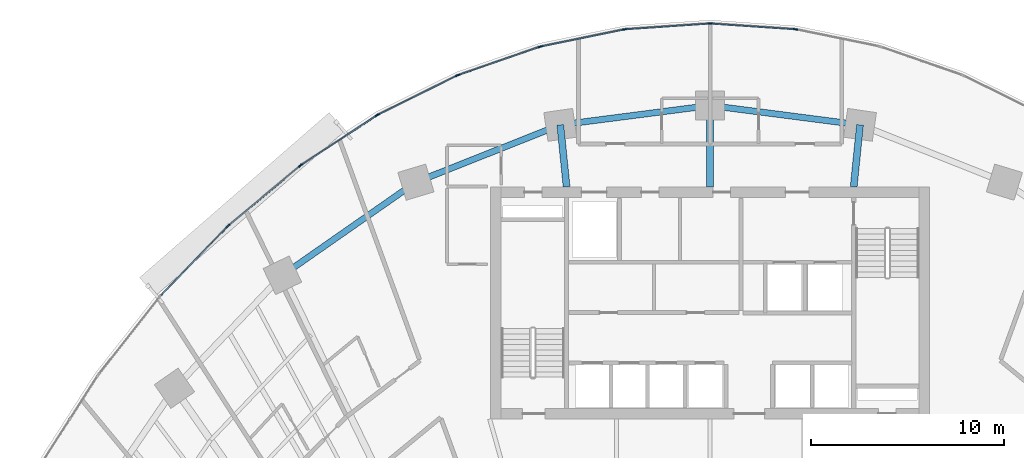
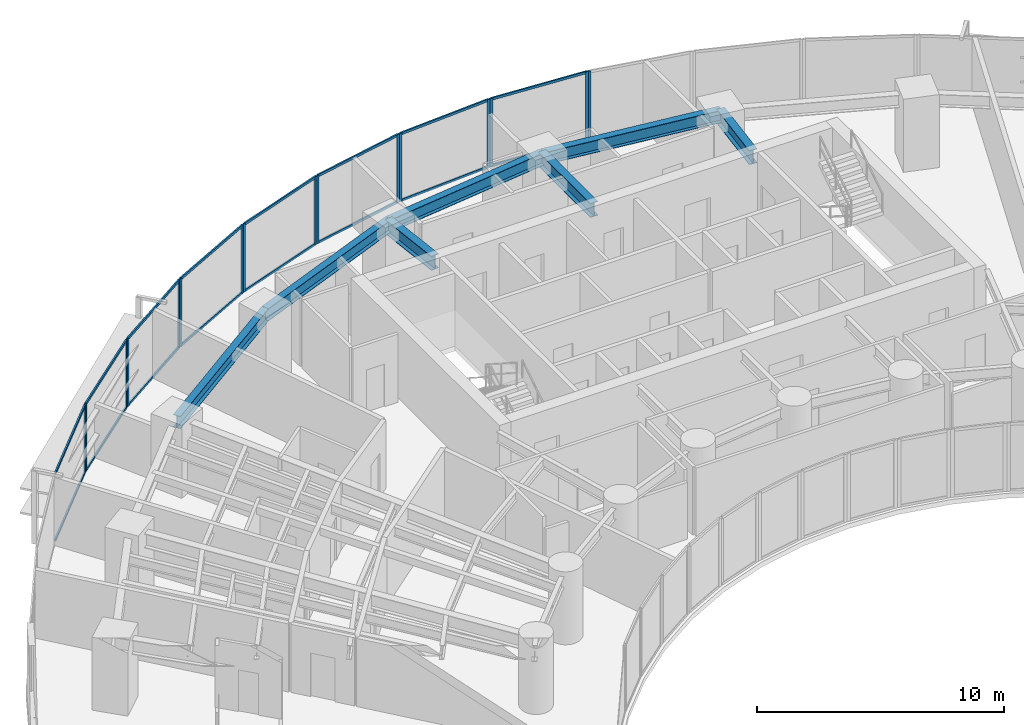
# One storey, part 6 of 17: 32 members, 7 beams, 9 elements without a shape of their own.
"""IFC4 building model written with IfcOpenShell, lengths in metres."""

from ifc_helpers import new_model, si_unit, direction, frame, origin, origin_2d, place, context, subcontext, project, spatial, rectangle, i_section, extrude, source, transform, mapped, material, layer, layer_set, material_profile, profile_set, type_object, type_shapes, element, aggregate, save


model = new_model("IFC4")

# Units and contexts
model_context = context("Model", 3, precision=1e-05, world=origin(), true_north=direction((0.0, 1.0)))
body_context = subcontext(model_context, "Body", "Model", "MODEL_VIEW")
ifc_project = project(units=[si_unit("LENGTHUNIT", "METRE"), si_unit("AREAUNIT", "SQUARE_METRE"), si_unit("VOLUMEUNIT", "CUBIC_METRE"), si_unit("PLANEANGLEUNIT", "RADIAN"), si_unit("MASSUNIT", "GRAM", prefix="KILO")], contexts=[model_context])

# Site, building, storey
site_placement = place(None, origin())
site = spatial("IfcSite", under=ifc_project, at=site_placement, CompositionType="ELEMENT")
building_placement = place(site_placement, origin())
building = spatial("IfcBuilding", under=site, at=building_placement, Name="Breltana Convention Tower", CompositionType="ELEMENT")
storey_placement = place(building_placement, frame((0.0, 0.0, 75.0)))
storey = spatial("IfcBuildingStorey", under=building, at=storey_placement, Name="L17", CompositionType="ELEMENT", Elevation=75.0)

# Beams
ifc_material_1 = material(Name="Steel ASTM A992 Grade 50", Category="steel")
ifc_material_profile_1 = material_profile(ifc_material_1, i_section(OverallWidth=0.323974609375, OverallDepth=0.611083984375, WebThickness=0.0126953125, FlangeThickness=0.01904296875, at=origin_2d()), Name="W24X104")
ifc_profile_set_1 = profile_set([ifc_material_profile_1], Name="Steel ASTM A992 Grade 50")
beam_type_1 = type_object("IfcBeamType", Name="BM-SP-W24X104", PredefinedType="SPANDREL", material=ifc_profile_set_1)
shared_shape_1 = source(origin(), body_context, "Body", "SweptSolid", [
    extrude(i_section(OverallWidth=0.323974609375, OverallDepth=0.611083984375, WebThickness=0.0126953125, FlangeThickness=0.01904296875, at=origin_2d()), origin(), (0.0, 0.0, 1.0), 8.4169921875),
])
beam_1_placement = place(storey_placement, frame((25.8876953125, 67.626953125, 3.054443359375), z_axis=(0.820173800102, 0.572114444519, 0.0), x_axis=(-0.572114444519, 0.820173800102, 0.0)))
element("IfcBeam", 1, at=beam_1_placement, inside=storey, type_object=beam_type_1, Name="L17 Outer Spandrel Beam 03", PredefinedType="SPANDREL", context=body_context, shape_type="MappedRepresentation", body=[
    mapped(shared_shape_1, transform((0.0, 0.0, 0.0), scale=1.0)),
])
shared_shape_2 = source(origin(), body_context, "Body", "SweptSolid", [
    extrude(i_section(OverallWidth=0.323974609375, OverallDepth=0.611083984375, WebThickness=0.0126953125, FlangeThickness=0.01904296875, at=origin_2d()), origin(), (0.0, 0.0, 1.0), 8.028564453125),
])
beam_2_placement = place(storey_placement, frame((32.791015625, 72.4423828125, 3.054443359375), z_axis=(0.929459100394, 0.368925169507, 0.0), x_axis=(-0.368925169507, 0.929459100394, 0.0)))
element("IfcBeam", 2, at=beam_2_placement, inside=storey, type_object=beam_type_1, Name="L17 Outer Spandrel Beam 04", PredefinedType="SPANDREL", context=body_context, shape_type="MappedRepresentation", body=[
    mapped(shared_shape_2, transform((0.0, 0.0, 0.0), scale=1.0)),
])
shared_shape_3 = source(origin(), body_context, "Body", "SweptSolid", [
    extrude(i_section(OverallWidth=0.323974609375, OverallDepth=0.611083984375, WebThickness=0.0126953125, FlangeThickness=0.01904296875, at=origin_2d()), origin(), (0.0, 0.0, 1.0), 7.81103515625),
])
for number, where, z_axis, x_axis, name in (
    (3, (40.253173828125, 75.404296875, 3.054443359375), (0.991775179127, 0.127992164083, 0.0), (-0.127992164083, 0.991775179127, 0.0), "L17 Outer Spandrel Beam 05"),
    (4, (48.0, 76.404052734375, 3.054443359375), (0.991775179127, -0.127992164083, 0.0), (0.127992164083, 0.991775179127, 0.0), "L17 Outer Spandrel Beam 06"),
):
    element("IfcBeam", number, at=place(storey_placement, frame(where, z_axis=z_axis, x_axis=x_axis)), inside=storey, type_object=beam_type_1, Name=name, PredefinedType="SPANDREL", context=body_context, shape_type="MappedRepresentation", body=[
        mapped(shared_shape_3, transform((0.0, 0.0, 0.0), scale=1.0)),
    ])
ifc_material_profile_2 = material_profile(ifc_material_1, i_section(OverallWidth=0.35498046875, OverallDepth=0.696044921875, WebThickness=0.015380859375, FlangeThickness=0.02490234375, at=origin_2d()), Name="W27X146")
ifc_profile_set_2 = profile_set([ifc_material_profile_2], Name="Steel ASTM A992 Grade 50")
beam_type_2 = type_object("IfcBeamType", Name="BM-RG-W27X146", PredefinedType="USERDEFINED", material=ifc_profile_set_2)
shared_shape_4 = source(origin(), body_context, "Body", "SweptSolid", [
    extrude(i_section(OverallWidth=0.35498046875, OverallDepth=0.696044921875, WebThickness=0.015380859375, FlangeThickness=0.02490234375, at=origin_2d()), origin(), (0.0, 0.0, 1.0), 3.220947265625),
])
for number, where, z_axis, x_axis, name in (
    (5, (40.580078125, 72.199951171875, 3.011962890625), (-0.101492254858, 0.994836329355, 0.0), (-0.994836329355, -0.101492254858, 0.0), "L17 North Core Radial Girder R05"),
    (6, (55.419921875, 72.199951171875, 3.011962890625), (0.101492254858, 0.994836329355, 0.0), (-0.994836329355, 0.101492254858, 0.0), "L17 North Core Radial Girder R07"),
):
    element("IfcBeam", number, at=place(storey_placement, frame(where, z_axis=z_axis, x_axis=x_axis)), inside=storey, type_object=beam_type_2, Name=name, ObjectType="GIRDER", PredefinedType="USERDEFINED", context=body_context, shape_type="MappedRepresentation", body=[
        mapped(shared_shape_4, transform((0.0, 0.0, 0.0), scale=1.0)),
    ])
shared_shape_5 = source(origin(), body_context, "Body", "SweptSolid", [
    extrude(i_section(OverallWidth=0.35498046875, OverallDepth=0.696044921875, WebThickness=0.015380859375, FlangeThickness=0.02490234375, at=origin_2d()), origin(), (0.0, 0.0, 1.0), 4.2041015625),
])
beam_3_placement = place(storey_placement, frame((48.0, 72.199951171875, 3.011962890625), z_axis=(0.0, 1.0, 0.0), x_axis=(-1.0, 0.0, 0.0)))
element("IfcBeam", 7, at=beam_3_placement, inside=storey, type_object=beam_type_2, Name="L17 North Core Radial Girder R06", ObjectType="GIRDER", PredefinedType="USERDEFINED", context=body_context, shape_type="MappedRepresentation", body=[
    mapped(shared_shape_5, transform((0.0, 0.0, 0.0), scale=1.0)),
])

# Curtain wall, member
ifc_material_2 = material(Name="Aluminium Anodised Bronze Frame", Category="aluminium")
ifc_layer = layer(ifc_material_2, 0.199951171875, Name="Aluminium Anodised Bronze Frame")
ifc_layer_set = layer_set([ifc_layer], Name="Aluminium Anodised Bronze Frame")
curtain_wall_type = type_object("IfcCurtainWallType", Name="CW-SYS-2", PredefinedType="NOTDEFINED", material=ifc_layer_set)
curtain_wall_1_placement = place(storey_placement, origin())
curtain_wall_1 = element("IfcCurtainWall", 8, at=curtain_wall_1_placement, inside=storey, type_object=curtain_wall_type, Name="L17 outer double-skin inner glazing 3", PredefinedType="NOTDEFINED")
ifc_material_3 = material(Name="Aluminium Anodised Bronze", Category="aluminium")
ifc_material_profile_3 = material_profile(ifc_material_3, rectangle(XDim=0.070068359375, YDim=0.175048828125, at=origin_2d()), Name="CWM-70X175")
ifc_profile_set_3 = profile_set([ifc_material_profile_3], Name="Aluminium Anodised Bronze")
member_type_1 = type_object("IfcMemberType", Name="CWM-175", PredefinedType="MULLION", material=ifc_profile_set_3)
shared_shape_6 = source(origin(), body_context, "Body", "SweptSolid", [
    extrude(rectangle(XDim=0.070068359375, YDim=0.175048828125, at=origin_2d()), origin(), (0.0, 0.0, 1.0), 3.360107421875),
])
type_shapes(member_type_1, [shared_shape_6])
member_1_placement = place(storey_placement, frame((23.044189453125, 70.147705078125, 0.0), z_axis=(0.0, 0.0, 1.0), x_axis=(-0.719386421003, 0.694610090106, 0.0)))
member_1 = element("IfcMember", 9, at=member_1_placement, type_object=member_type_1, Name="CW-02 mullion 2", PredefinedType="MULLION", context=body_context, shape_type="MappedRepresentation", body=[
    mapped(shared_shape_6, transform((0.0, 0.0, 0.0), scale=1.0)),
])

# Curtain wall, members
curtain_wall_2_placement = place(storey_placement, origin())
curtain_wall_2 = element("IfcCurtainWall", 10, at=curtain_wall_2_placement, inside=storey, type_object=curtain_wall_type, Name="L17 outer double-skin inner glazing 4", PredefinedType="NOTDEFINED")
member_2_placement = place(storey_placement, frame((23.09521484375, 70.1953125, 0.0), z_axis=(0.0, 0.0, 1.0), x_axis=(-0.640520193554, 0.767941326958, 0.0)))
member_2 = element("IfcMember", 11, at=member_2_placement, type_object=member_type_1, Name="CW-02 mullion 1", PredefinedType="MULLION", context=body_context, shape_type="MappedRepresentation", body=[
    mapped(shared_shape_6, transform((0.0, 0.0, 0.0), scale=1.0)),
])
member_3_placement = place(storey_placement, frame((26.79736328125, 73.283203125, 0.0), z_axis=(0.0, 0.0, 1.0), x_axis=(-0.640520193554, 0.767941326958, 0.0)))
member_3 = element("IfcMember", 12, at=member_3_placement, type_object=member_type_1, Name="CW-02 mullion 2", PredefinedType="MULLION", context=body_context, shape_type="MappedRepresentation", body=[
    mapped(shared_shape_6, transform((0.0, 0.0, 0.0), scale=1.0)),
])

curtain_wall_3_placement = place(storey_placement, origin())
curtain_wall_3 = element("IfcCurtainWall", 13, at=curtain_wall_3_placement, inside=storey, type_object=curtain_wall_type, Name="L17 outer double-skin inner glazing 5", PredefinedType="NOTDEFINED")
member_4_placement = place(storey_placement, frame((26.853515625, 73.32470703125, 0.0), z_axis=(0.0, 0.0, 1.0), x_axis=(-0.548784255746, 0.83596401875, 0.0)))
member_4 = element("IfcMember", 14, at=member_4_placement, type_object=member_type_1, Name="CW-02 mullion 1", PredefinedType="MULLION", context=body_context, shape_type="MappedRepresentation", body=[
    mapped(shared_shape_6, transform((0.0, 0.0, 0.0), scale=1.0)),
])
member_5_placement = place(storey_placement, frame((30.766357421875, 75.8935546875, 0.0), z_axis=(0.0, 0.0, 1.0), x_axis=(-0.548784255746, 0.83596401875, 0.0)))
member_5 = element("IfcMember", 15, at=member_5_placement, type_object=member_type_1, Name="CW-02 mullion 2", PredefinedType="MULLION", context=body_context, shape_type="MappedRepresentation", body=[
    mapped(shared_shape_6, transform((0.0, 0.0, 0.0), scale=1.0)),
])

curtain_wall_4_placement = place(storey_placement, origin())
curtain_wall_4 = element("IfcCurtainWall", 16, at=curtain_wall_4_placement, inside=storey, type_object=curtain_wall_type, Name="L17 outer double-skin inner glazing 6", PredefinedType="NOTDEFINED")
member_6_placement = place(storey_placement, frame((30.8271484375, 75.92822265625, 0.0), z_axis=(0.0, 0.0, 1.0), x_axis=(-0.444107703726, 0.895973407804, 0.0)))
member_6 = element("IfcMember", 17, at=member_6_placement, type_object=member_type_1, Name="CW-02 mullion 1", PredefinedType="MULLION", context=body_context, shape_type="MappedRepresentation", body=[
    mapped(shared_shape_6, transform((0.0, 0.0, 0.0), scale=1.0)),
])
member_7_placement = place(storey_placement, frame((34.910400390625, 77.9521484375, 0.0), z_axis=(0.0, 0.0, 1.0), x_axis=(-0.444107703726, 0.895973407804, 0.0)))
member_7 = element("IfcMember", 18, at=member_7_placement, type_object=member_type_1, Name="CW-02 mullion 2", PredefinedType="MULLION", context=body_context, shape_type="MappedRepresentation", body=[
    mapped(shared_shape_6, transform((0.0, 0.0, 0.0), scale=1.0)),
])

curtain_wall_5_placement = place(storey_placement, origin())
curtain_wall_5 = element("IfcCurtainWall", 19, at=curtain_wall_5_placement, inside=storey, type_object=curtain_wall_type, Name="L17 outer double-skin inner glazing 7", PredefinedType="NOTDEFINED")
member_8_placement = place(storey_placement, frame((34.974853515625, 77.979248046875, 0.0), z_axis=(0.0, 0.0, 1.0), x_axis=(-0.32742834581, 0.944876012163, 0.0)))
member_8 = element("IfcMember", 20, at=member_8_placement, type_object=member_type_1, Name="CW-02 mullion 1", PredefinedType="MULLION", context=body_context, shape_type="MappedRepresentation", body=[
    mapped(shared_shape_6, transform((0.0, 0.0, 0.0), scale=1.0)),
])
member_9_placement = place(storey_placement, frame((39.1875, 79.43896484375, 0.0), z_axis=(0.0, 0.0, 1.0), x_axis=(-0.32742834581, 0.944876012163, 0.0)))
member_9 = element("IfcMember", 21, at=member_9_placement, type_object=member_type_1, Name="CW-02 mullion 2", PredefinedType="MULLION", context=body_context, shape_type="MappedRepresentation", body=[
    mapped(shared_shape_6, transform((0.0, 0.0, 0.0), scale=1.0)),
])

curtain_wall_6_placement = place(storey_placement, origin())
curtain_wall_6 = element("IfcCurtainWall", 22, at=curtain_wall_6_placement, inside=storey, type_object=curtain_wall_type, Name="L17 outer double-skin inner glazing 8", PredefinedType="NOTDEFINED")
member_10_placement = place(storey_placement, frame((39.2548828125, 79.45751953125, 0.0), z_axis=(0.0, 0.0, 1.0), x_axis=(-0.200884537139, 0.979614925743, 0.0)))
member_10 = element("IfcMember", 23, at=member_10_placement, type_object=member_type_1, Name="CW-02 mullion 1", PredefinedType="MULLION", context=body_context, shape_type="MappedRepresentation", body=[
    mapped(shared_shape_6, transform((0.0, 0.0, 0.0), scale=1.0)),
])
member_11_placement = place(storey_placement, frame((43.5537109375, 80.339111328125, 0.0), z_axis=(0.0, 0.0, 1.0), x_axis=(-0.200884537139, 0.979614925743, 0.0)))
member_11 = element("IfcMember", 24, at=member_11_placement, type_object=member_type_1, Name="CW-02 mullion 2", PredefinedType="MULLION", context=body_context, shape_type="MappedRepresentation", body=[
    mapped(shared_shape_6, transform((0.0, 0.0, 0.0), scale=1.0)),
])

curtain_wall_7_placement = place(storey_placement, origin())
curtain_wall_7 = element("IfcCurtainWall", 25, at=curtain_wall_7_placement, inside=storey, type_object=curtain_wall_type, Name="L17 outer double-skin inner glazing 9", PredefinedType="NOTDEFINED")
member_12_placement = place(storey_placement, frame((43.622802734375, 80.348388671875, 0.0), z_axis=(0.0, 0.0, 1.0), x_axis=(-0.067725650529, 0.997703982282, 0.0)))
member_12 = element("IfcMember", 26, at=member_12_placement, type_object=member_type_1, Name="CW-02 mullion 1", PredefinedType="MULLION", context=body_context, shape_type="MappedRepresentation", body=[
    mapped(shared_shape_6, transform((0.0, 0.0, 0.0), scale=1.0)),
])
member_13_placement = place(storey_placement, frame((47.965087890625, 80.643310546875, 0.0), z_axis=(0.0, 0.0, 1.0), x_axis=(-0.067725650529, 0.997703982282, 0.0)))
member_13 = element("IfcMember", 27, at=member_13_placement, type_object=member_type_1, Name="CW-02 mullion 2", PredefinedType="MULLION", context=body_context, shape_type="MappedRepresentation", body=[
    mapped(shared_shape_6, transform((0.0, 0.0, 0.0), scale=1.0)),
])

curtain_wall_8_placement = place(storey_placement, origin())
curtain_wall_8 = element("IfcCurtainWall", 28, at=curtain_wall_8_placement, inside=storey, type_object=curtain_wall_type, Name="L17 outer double-skin inner glazing 10", PredefinedType="NOTDEFINED")
member_14_placement = place(storey_placement, frame((48.034912109375, 80.643310546875, 0.0), z_axis=(0.0, 0.0, 1.0), x_axis=(0.067725650529, 0.997703982282, 0.0)))
member_14 = element("IfcMember", 29, at=member_14_placement, type_object=member_type_1, Name="CW-02 mullion 1", PredefinedType="MULLION", context=body_context, shape_type="MappedRepresentation", body=[
    mapped(shared_shape_6, transform((0.0, 0.0, 0.0), scale=1.0)),
])
member_15_placement = place(storey_placement, frame((52.377197265625, 80.348388671875, 0.0), z_axis=(0.0, 0.0, 1.0), x_axis=(0.067725650529, 0.997703982282, 0.0)))
member_15 = element("IfcMember", 30, at=member_15_placement, type_object=member_type_1, Name="CW-02 mullion 2", PredefinedType="MULLION", context=body_context, shape_type="MappedRepresentation", body=[
    mapped(shared_shape_6, transform((0.0, 0.0, 0.0), scale=1.0)),
])

# Curtain wall, member
curtain_wall_9_placement = place(storey_placement, origin())
curtain_wall_9 = element("IfcCurtainWall", 31, at=curtain_wall_9_placement, inside=storey, type_object=curtain_wall_type, Name="L17 outer double-skin inner glazing 11", PredefinedType="NOTDEFINED")
member_16_placement = place(storey_placement, frame((52.4462890625, 80.339111328125, 0.0), z_axis=(0.0, 0.0, 1.0), x_axis=(0.200884537139, 0.979614925743, 0.0)))
member_16 = element("IfcMember", 32, at=member_16_placement, type_object=member_type_1, Name="CW-02 mullion 1", PredefinedType="MULLION", context=body_context, shape_type="MappedRepresentation", body=[
    mapped(shared_shape_6, transform((0.0, 0.0, 0.0), scale=1.0)),
])
aggregate(curtain_wall_9, [member_16])

# Member
ifc_material_profile_4 = material_profile(ifc_material_3, rectangle(XDim=0.070068359375, YDim=0.1201171875, at=origin_2d()), Name="CWT-70X120")
ifc_profile_set_4 = profile_set([ifc_material_profile_4], Name="Aluminium Anodised Bronze")
member_type_2 = type_object("IfcMemberType", Name="CWT-120", PredefinedType="USERDEFINED", material=ifc_profile_set_4)
shared_shape_7 = source(origin(), body_context, "Body", "SweptSolid", [
    extrude(rectangle(XDim=0.070068359375, YDim=0.1201171875, at=origin_2d()), origin(), (0.0, 0.0, 1.0), 4.901123046875),
])
member_17_placement = place(storey_placement, frame((19.615478515625, 66.5966796875, 0.034912109375), z_axis=(0.6945945137, 0.719401460617, 0.0), x_axis=(-0.719401460617, 0.6945945137, 0.0)))
member_17 = element("IfcMember", 33, at=member_17_placement, type_object=member_type_2, Name="CW-02 transom 1.1", ObjectType="TRANSOM", PredefinedType="USERDEFINED", context=body_context, shape_type="MappedRepresentation", body=[
    mapped(shared_shape_7, transform((0.0, 0.0, 0.0), scale=1.0)),
])

member_18_placement = place(storey_placement, frame((19.615478515625, 66.5966796875, 3.324951171875), z_axis=(0.6945945137, 0.719401460617, 0.0), x_axis=(-0.719401460617, 0.6945945137, 0.0)))
member_18 = element("IfcMember", 34, at=member_18_placement, type_object=member_type_2, Name="CW-02 transom 1.2", ObjectType="TRANSOM", PredefinedType="USERDEFINED", context=body_context, shape_type="MappedRepresentation", body=[
    mapped(shared_shape_7, transform((0.0, 0.0, 0.0), scale=1.0)),
])

aggregate(curtain_wall_1, [member_1, member_17, member_18])

shared_shape_8 = source(origin(), body_context, "Body", "SweptSolid", [
    extrude(rectangle(XDim=0.070068359375, YDim=0.1201171875, at=origin_2d()), origin(), (0.0, 0.0, 1.0), 4.7509765625),
])
member_19_placement = place(storey_placement, frame((23.1220703125, 70.2177734375, 0.034912109375), z_axis=(0.767951631807, 0.64050783852, 0.0), x_axis=(-0.64050783852, 0.767951631807, 0.0)))
member_19 = element("IfcMember", 35, at=member_19_placement, type_object=member_type_2, Name="CW-02 transom 1.1", ObjectType="TRANSOM", PredefinedType="USERDEFINED", context=body_context, shape_type="MappedRepresentation", body=[
    mapped(shared_shape_8, transform((0.0, 0.0, 0.0), scale=1.0)),
])

member_20_placement = place(storey_placement, frame((23.1220703125, 70.2177734375, 3.324951171875), z_axis=(0.767951631807, 0.64050783852, 0.0), x_axis=(-0.64050783852, 0.767951631807, 0.0)))
member_20 = element("IfcMember", 36, at=member_20_placement, type_object=member_type_2, Name="CW-02 transom 1.2", ObjectType="TRANSOM", PredefinedType="USERDEFINED", context=body_context, shape_type="MappedRepresentation", body=[
    mapped(shared_shape_8, transform((0.0, 0.0, 0.0), scale=1.0)),
])

aggregate(curtain_wall_2, [member_2, member_3, member_19, member_20])

shared_shape_9 = source(origin(), body_context, "Body", "SweptSolid", [
    extrude(rectangle(XDim=0.070068359375, YDim=0.1201171875, at=origin_2d()), origin(), (0.0, 0.0, 1.0), 4.610595703125),
])
member_21_placement = place(storey_placement, frame((26.8828125, 73.343994140625, 0.034912109375), z_axis=(0.835956055104, 0.54879638659, 0.0), x_axis=(-0.54879638659, 0.835956055104, 0.0)))
member_21 = element("IfcMember", 37, at=member_21_placement, type_object=member_type_2, Name="CW-02 transom 1.1", ObjectType="TRANSOM", PredefinedType="USERDEFINED", context=body_context, shape_type="MappedRepresentation", body=[
    mapped(shared_shape_9, transform((0.0, 0.0, 0.0), scale=1.0)),
])

member_22_placement = place(storey_placement, frame((26.8828125, 73.343994140625, 3.324951171875), z_axis=(0.835956055104, 0.54879638659, 0.0), x_axis=(-0.54879638659, 0.835956055104, 0.0)))
member_22 = element("IfcMember", 38, at=member_22_placement, type_object=member_type_2, Name="CW-02 transom 1.2", ObjectType="TRANSOM", PredefinedType="USERDEFINED", context=body_context, shape_type="MappedRepresentation", body=[
    mapped(shared_shape_9, transform((0.0, 0.0, 0.0), scale=1.0)),
])

aggregate(curtain_wall_3, [member_4, member_5, member_21, member_22])

shared_shape_10 = source(origin(), body_context, "Body", "SweptSolid", [
    extrude(rectangle(XDim=0.070068359375, YDim=0.1201171875, at=origin_2d()), origin(), (0.0, 0.0, 1.0), 4.487548828125),
])
member_23_placement = place(storey_placement, frame((30.8583984375, 75.94384765625, 0.034912109375), z_axis=(0.895977728863, 0.444098986017, 0.0), x_axis=(-0.444098986017, 0.895977728863, 0.0)))
member_23 = element("IfcMember", 39, at=member_23_placement, type_object=member_type_2, Name="CW-02 transom 1.1", ObjectType="TRANSOM", PredefinedType="USERDEFINED", context=body_context, shape_type="MappedRepresentation", body=[
    mapped(shared_shape_10, transform((0.0, 0.0, 0.0), scale=1.0)),
])

member_24_placement = place(storey_placement, frame((30.8583984375, 75.94384765625, 3.324951171875), z_axis=(0.895977728863, 0.444098986017, 0.0), x_axis=(-0.444098986017, 0.895977728863, 0.0)))
member_24 = element("IfcMember", 40, at=member_24_placement, type_object=member_type_2, Name="CW-02 transom 1.2", ObjectType="TRANSOM", PredefinedType="USERDEFINED", context=body_context, shape_type="MappedRepresentation", body=[
    mapped(shared_shape_10, transform((0.0, 0.0, 0.0), scale=1.0)),
])

aggregate(curtain_wall_4, [member_6, member_7, member_23, member_24])

shared_shape_11 = source(origin(), body_context, "Body", "SweptSolid", [
    extrude(rectangle(XDim=0.070068359375, YDim=0.1201171875, at=origin_2d()), origin(), (0.0, 0.0, 1.0), 4.38818359375),
])
member_25_placement = place(storey_placement, frame((35.008056640625, 77.99072265625, 0.034912109375), z_axis=(0.944878203019, 0.32742202348, 0.0), x_axis=(-0.32742202348, 0.944878203019, 0.0)))
member_25 = element("IfcMember", 41, at=member_25_placement, type_object=member_type_2, Name="CW-02 transom 1.1", ObjectType="TRANSOM", PredefinedType="USERDEFINED", context=body_context, shape_type="MappedRepresentation", body=[
    mapped(shared_shape_11, transform((0.0, 0.0, 0.0), scale=1.0)),
])

member_26_placement = place(storey_placement, frame((35.008056640625, 77.99072265625, 3.324951171875), z_axis=(0.944878203019, 0.32742202348, 0.0), x_axis=(-0.32742202348, 0.944878203019, 0.0)))
member_26 = element("IfcMember", 42, at=member_26_placement, type_object=member_type_2, Name="CW-02 transom 1.2", ObjectType="TRANSOM", PredefinedType="USERDEFINED", context=body_context, shape_type="MappedRepresentation", body=[
    mapped(shared_shape_11, transform((0.0, 0.0, 0.0), scale=1.0)),
])

aggregate(curtain_wall_5, [member_8, member_9, member_25, member_26])

shared_shape_12 = source(origin(), body_context, "Body", "SweptSolid", [
    extrude(rectangle(XDim=0.070068359375, YDim=0.1201171875, at=origin_2d()), origin(), (0.0, 0.0, 1.0), 4.318359375),
])
member_27_placement = place(storey_placement, frame((39.2890625, 79.464599609375, 0.034912109375), z_axis=(0.979616680923, 0.200875977799, 0.0), x_axis=(-0.200875977799, 0.979616680923, 0.0)))
member_27 = element("IfcMember", 43, at=member_27_placement, type_object=member_type_2, Name="CW-02 transom 1.1", ObjectType="TRANSOM", PredefinedType="USERDEFINED", context=body_context, shape_type="MappedRepresentation", body=[
    mapped(shared_shape_12, transform((0.0, 0.0, 0.0), scale=1.0)),
])

member_28_placement = place(storey_placement, frame((39.2890625, 79.464599609375, 3.324951171875), z_axis=(0.979616680923, 0.200875977799, 0.0), x_axis=(-0.200875977799, 0.979616680923, 0.0)))
member_28 = element("IfcMember", 44, at=member_28_placement, type_object=member_type_2, Name="CW-02 transom 1.2", ObjectType="TRANSOM", PredefinedType="USERDEFINED", context=body_context, shape_type="MappedRepresentation", body=[
    mapped(shared_shape_12, transform((0.0, 0.0, 0.0), scale=1.0)),
])

aggregate(curtain_wall_6, [member_10, member_11, member_27, member_28])

shared_shape_13 = source(origin(), body_context, "Body", "SweptSolid", [
    extrude(rectangle(XDim=0.070068359375, YDim=0.1201171875, at=origin_2d()), origin(), (0.0, 0.0, 1.0), 4.2822265625),
])
member_29_placement = place(storey_placement, frame((43.65771484375, 80.350830078125, 0.034912109375), z_axis=(0.997703698684, 0.067729828231, 0.0), x_axis=(-0.067729828231, 0.997703698684, 0.0)))
member_29 = element("IfcMember", 45, at=member_29_placement, type_object=member_type_2, Name="CW-02 transom 1.1", ObjectType="TRANSOM", PredefinedType="USERDEFINED", context=body_context, shape_type="MappedRepresentation", body=[
    mapped(shared_shape_13, transform((0.0, 0.0, 0.0), scale=1.0)),
])

member_30_placement = place(storey_placement, frame((43.65771484375, 80.350830078125, 3.324951171875), z_axis=(0.997703698684, 0.067729828231, 0.0), x_axis=(-0.067729828231, 0.997703698684, 0.0)))
member_30 = element("IfcMember", 46, at=member_30_placement, type_object=member_type_2, Name="CW-02 transom 1.2", ObjectType="TRANSOM", PredefinedType="USERDEFINED", context=body_context, shape_type="MappedRepresentation", body=[
    mapped(shared_shape_13, transform((0.0, 0.0, 0.0), scale=1.0)),
])

aggregate(curtain_wall_7, [member_12, member_13, member_29, member_30])

member_31_placement = place(storey_placement, frame((48.06982421875, 80.640869140625, 0.034912109375), z_axis=(0.997703698684, -0.067729828231, 0.0), x_axis=(0.067729828231, 0.997703698684, 0.0)))
member_31 = element("IfcMember", 47, at=member_31_placement, type_object=member_type_2, Name="CW-02 transom 1.1", ObjectType="TRANSOM", PredefinedType="USERDEFINED", context=body_context, shape_type="MappedRepresentation", body=[
    mapped(shared_shape_13, transform((0.0, 0.0, 0.0), scale=1.0)),
])

member_32_placement = place(storey_placement, frame((48.06982421875, 80.640869140625, 3.324951171875), z_axis=(0.997703698684, -0.067729828231, 0.0), x_axis=(0.067729828231, 0.997703698684, 0.0)))
member_32 = element("IfcMember", 48, at=member_32_placement, type_object=member_type_2, Name="CW-02 transom 1.2", ObjectType="TRANSOM", PredefinedType="USERDEFINED", context=body_context, shape_type="MappedRepresentation", body=[
    mapped(shared_shape_13, transform((0.0, 0.0, 0.0), scale=1.0)),
])

aggregate(curtain_wall_8, [member_14, member_15, member_31, member_32])

save(model, "model.ifc")
